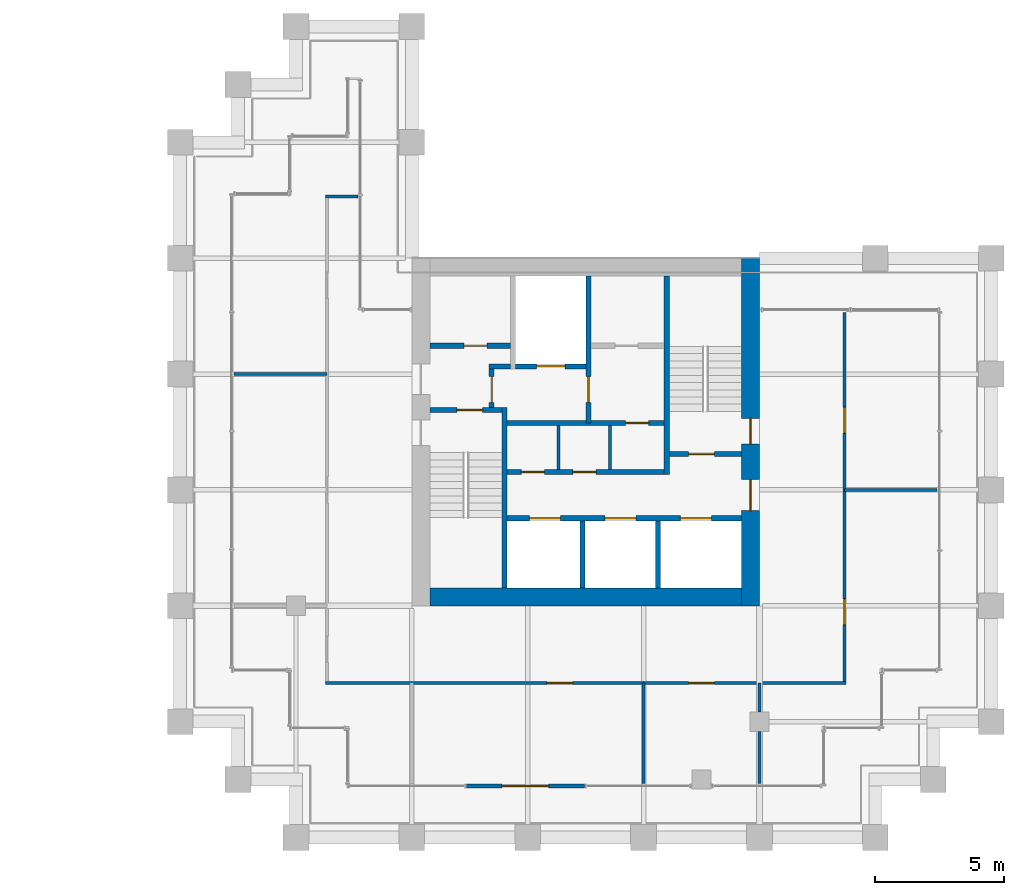
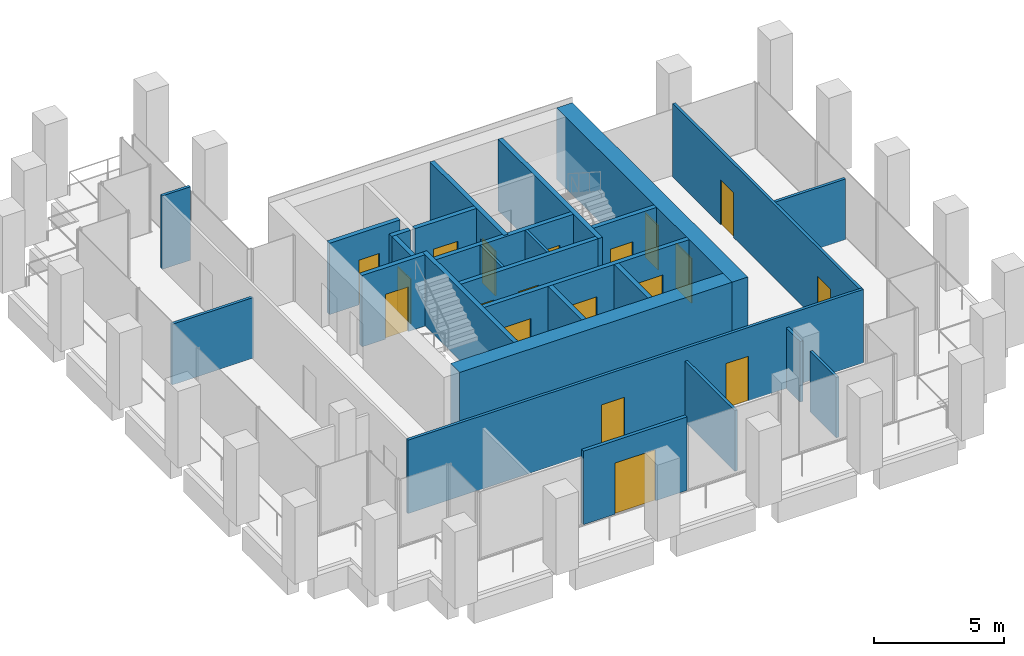
# One storey, part 43 of 46: 27 walls, 19 doors, 19 openings.
"""IFC4 building model written with IfcOpenShell, lengths in metres."""

from ifc_helpers import new_model, si_unit, direction, frame, frame_2d, origin, place, context, subcontext, project, spatial, rectangle, extrude, material, layer, layer_set, type_object, element, fill, save


model = new_model("IFC4")

# Units and contexts
model_context = context("Model", 3, precision=1e-05, world=origin(), true_north=direction((0.0, 1.0)))
body_context = subcontext(model_context, "Body", "Model", "MODEL_VIEW")
ifc_project = project(units=[si_unit("LENGTHUNIT", "METRE"), si_unit("AREAUNIT", "SQUARE_METRE"), si_unit("VOLUMEUNIT", "CUBIC_METRE"), si_unit("PLANEANGLEUNIT", "RADIAN"), si_unit("MASSUNIT", "GRAM", prefix="KILO")], contexts=[model_context])

# Site, building, storey
site_placement = place(None, origin())
site = spatial("IfcSite", under=ifc_project, at=site_placement, CompositionType="ELEMENT")
building_placement = place(site_placement, origin())
building = spatial("IfcBuilding", under=site, at=building_placement, Name="Altepetl Exchange Towers", CompositionType="ELEMENT")
storey_placement = place(building_placement, frame((0.0, 0.0, 124.39990234375)))
storey = spatial("IfcBuildingStorey", under=building, at=storey_placement, Name="L30", CompositionType="ELEMENT", Elevation=124.39990234375)

# Wall, openings, doors
ifc_material_1 = material(Name="Concrete C70/85", Category="concrete")
ifc_layer_1 = layer(ifc_material_1, 0.699951171875)
ifc_layer_set_1 = layer_set([ifc_layer_1], Name="Concrete C70/85")
wall_type_1 = type_object("IfcWallType", Name="Core wall 700 reinforced concrete", PredefinedType="SHEAR", material=ifc_layer_set_1)
wall_1_placement = place(storey_placement, frame((116.64990234375, 36.0, 0.0), z_axis=(0.0, 0.0, 1.0), x_axis=(0.0, 1.0, 0.0)))
wall_1 = element("IfcWall", 1, at=wall_1_placement, inside=storey, type_object=wall_type_1, Name="wall:B:L30:K-coreE", PredefinedType="SHEAR", context=body_context, shape_type="SweptSolid", body=[
    extrude(rectangle(XDim=13.5, YDim=0.699951171875, at=frame_2d((6.75, 0.0))), origin(), (0.0, 0.0, 1.0), 3.35009765625),
])
opening_1_placement = place(wall_1_placement, frame((3.699951171875, 0.0, 0.0)))
opening_1 = element("IfcOpeningElement", 2, at=opening_1_placement, cuts=wall_1, Name="Opening L30.B61", PredefinedType="OPENING", context=body_context, shape_type="SweptSolid", body=[
    extrude(rectangle(XDim=1.199951171875, YDim=2.10009765625, at=frame_2d((0.60009765625, 1.050048828125))), frame((0.0, 0.35986328125, 0.0), z_axis=(0.0, -1.0, 0.0), x_axis=(1.0, 0.0, 0.0)), (0.0, 0.0, 1.0), 0.719970703125),
])
opening_2_placement = place(wall_1_placement, frame((6.27490234375, 0.0, 0.0)))
opening_2 = element("IfcOpeningElement", 3, at=opening_2_placement, cuts=wall_1, Name="Opening L30.B65", PredefinedType="OPENING", context=body_context, shape_type="SweptSolid", body=[
    extrude(rectangle(XDim=1.0, YDim=2.10009765625, at=frame_2d((0.5, 1.050048828125))), frame((0.0, 0.35986328125, 0.0), z_axis=(0.0, -1.0, 0.0), x_axis=(1.0, 0.0, 0.0)), (0.0, 0.0, 1.0), 0.719970703125),
])
ifc_material_2 = material(Name="Steel and timber fire door", Category="steel")
door_type_1 = type_object("IfcDoorType", Name="Fire door 1000 x 2100 stair and lobby", OperationType="SINGLE_SWING_LEFT", PredefinedType="DOOR", material=ifc_material_2)
door_1_placement = place(opening_2_placement, origin())
door_1 = element("IfcDoor", 4, at=door_1_placement, inside=storey, type_object=door_type_1, Name="door:B:L30:K-dS2x", OperationType="SINGLE_SWING_LEFT", OverallHeight=2.10009765625, OverallWidth=1.0, PredefinedType="DOOR", context=body_context, shape_type="SweptSolid", body=[
    extrude(rectangle(XDim=1.0, YDim=2.10009765625, at=frame_2d((0.5, 1.050048828125))), frame((0.0, 0.02490234375, 0.0), z_axis=(0.0, -1.0, 0.0), x_axis=(1.0, 0.0, 0.0)), (0.0, 0.0, 1.0), 0.050048828125),
])
fill(opening_2, door_1)
door_type_2 = type_object("IfcDoorType", Name="Fire door 1200 x 2100 lobby entry", OperationType="SINGLE_SWING_LEFT", PredefinedType="DOOR", material=ifc_material_2)
door_2_placement = place(opening_1_placement, origin())
door_2 = element("IfcDoor", 5, at=door_2_placement, inside=storey, type_object=door_type_2, Name="door:B:L30:K-dLSE", OperationType="SINGLE_SWING_RIGHT", OverallHeight=2.10009765625, OverallWidth=1.199951171875, PredefinedType="DOOR", context=body_context, shape_type="SweptSolid", body=[
    extrude(rectangle(XDim=1.199951171875, YDim=2.10009765625, at=frame_2d((0.60009765625, 1.050048828125))), frame((0.0, 0.02490234375, 0.0), z_axis=(0.0, -1.0, 0.0), x_axis=(1.0, 0.0, 0.0)), (0.0, 0.0, 1.0), 0.050048828125),
])
fill(opening_1, door_2)

# Wall
wall_2_placement = place(storey_placement, frame((104.199951171875, 36.35009765625, 0.0)))
element("IfcWall", 6, at=wall_2_placement, inside=storey, type_object=wall_type_1, Name="wall:B:L30:K-coreS", PredefinedType="SHEAR", context=body_context, shape_type="SweptSolid", body=[
    extrude(rectangle(XDim=12.10009765625, YDim=0.699951171875, at=frame_2d((6.050048828125, 0.0))), origin(), (0.0, 0.0, 1.0), 3.35009765625),
])

# Wall, opening, door
ifc_material_3 = material(Name="Aluminium composite cladding", Category="aluminium")
ifc_layer_2 = layer(ifc_material_3, 0.14990234375)
ifc_layer_set_2 = layer_set([ifc_layer_2], Name="Aluminium composite cladding")
wall_type_2 = type_object("IfcWallType", Name="Infill wall 150 aluminium panel", PredefinedType="SOLIDWALL", material=ifc_layer_set_2)
wall_3_placement = place(storey_placement, frame((105.606201171875, 29.0, 0.0)))
wall_3 = element("IfcWall", 7, at=wall_3_placement, inside=storey, type_object=wall_type_2, Name="Loggia door bay wall", PredefinedType="SOLIDWALL", context=body_context, shape_type="SweptSolid", body=[
    extrude(rectangle(XDim=4.606201171875, YDim=0.14990234375, at=frame_2d((2.30322265625, 0.0))), origin(), (0.0, 0.0, 1.0), 3.4501953125),
])
opening_3_placement = place(wall_3_placement, frame((1.403076171875, 0.0, 0.0)))
opening_3 = element("IfcOpeningElement", 8, at=opening_3_placement, cuts=wall_3, Name="Opening L30.B90", PredefinedType="OPENING", context=body_context, shape_type="SweptSolid", body=[
    extrude(rectangle(XDim=1.800048828125, YDim=2.39990234375, at=frame_2d((0.89990234375, 1.199951171875))), frame((0.0, 0.0849609375, 0.0), z_axis=(0.0, -1.0, 0.0), x_axis=(1.0, 0.0, 0.0)), (0.0, 0.0, 1.0), 0.169921875),
])
ifc_material_4 = material(Name="Aluminium 6063-T6 and glass", Category="aluminium")
door_type_3 = type_object("IfcDoorType", Name="Glazed door pair 1800x2400", OperationType="DOUBLE_DOOR_DOUBLE_SWING", PredefinedType="NOTDEFINED", material=ifc_material_4)
door_3_placement = place(opening_3_placement, frame((1.800048828125, 0.0, 0.0), x_axis=(-1.0, 0.0, 0.0)))
door_3 = element("IfcDoor", 9, at=door_3_placement, inside=storey, type_object=door_type_3, Name="Loggia door", OperationType="DOUBLE_DOOR_DOUBLE_SWING", OverallHeight=2.39990234375, OverallWidth=1.800048828125, PredefinedType="NOTDEFINED", context=body_context, shape_type="SweptSolid", body=[
    extrude(rectangle(XDim=1.800048828125, YDim=2.39990234375, at=frame_2d((0.89990234375, 1.199951171875))), frame((0.0, 0.02490234375, 0.0), z_axis=(0.0, -1.0, 0.0), x_axis=(1.0, 0.0, 0.0)), (0.0, 0.0, 1.0), 0.050048828125),
])
fill(opening_3, door_3)

# Wall
ifc_material_5 = material(Name="Concrete blockwork", Category="masonry")
ifc_layer_3 = layer(ifc_material_5, 0.199951171875)
ifc_layer_set_3 = layer_set([ifc_layer_3], Name="Concrete blockwork")
wall_type_3 = type_object("IfcWallType", Name="Lobby wall 200 blockwork", PredefinedType="PARTITIONING", material=ifc_layer_set_3)
wall_4_placement = place(storey_placement, frame((106.5, 45.300048828125, 0.0)))
element("IfcWall", 10, at=wall_4_placement, inside=storey, type_object=wall_type_3, Name="wall:B:L30:K-ffNw", PredefinedType="PARTITIONING", context=body_context, shape_type="SweptSolid", body=[
    extrude(rectangle(XDim=0.833251953125, YDim=0.199951171875, at=frame_2d((0.41650390625, 0.0))), origin(), (0.0, 0.0, 1.0), 3.35009765625),
])

# Wall, opening, door
wall_5_placement = place(storey_placement, frame((106.60009765625, 43.699951171875, 0.0), z_axis=(0.0, 0.0, 1.0), x_axis=(0.0, 1.0, 0.0)))
wall_5 = element("IfcWall", 11, at=wall_5_placement, inside=storey, type_object=wall_type_3, Name="wall:B:L30:K-ffW", PredefinedType="PARTITIONING", context=body_context, shape_type="SweptSolid", body=[
    extrude(rectangle(XDim=1.5, YDim=0.199951171875, at=frame_2d((0.75, 0.0))), origin(), (0.0, 0.0, 1.0), 3.35009765625),
])
opening_4_placement = place(wall_5_placement, frame((0.199951171875, 0.0, 0.0)))
opening_4 = element("IfcOpeningElement", 12, at=opening_4_placement, cuts=wall_5, Name="Opening L30.B67", PredefinedType="OPENING", context=body_context, shape_type="SweptSolid", body=[
    extrude(rectangle(XDim=1.0, YDim=2.10009765625, at=frame_2d((0.5, 1.050048828125))), frame((0.0, 0.10986328125, 0.0), z_axis=(0.0, -1.0, 0.0), x_axis=(1.0, 0.0, 0.0)), (0.0, 0.0, 1.0), 0.219970703125),
])
door_4_placement = place(opening_4_placement, frame((1.0, 0.0, 0.0), x_axis=(-1.0, 0.0, 0.0)))
door_4 = element("IfcDoor", 13, at=door_4_placement, inside=storey, type_object=door_type_1, Name="door:B:L30:K-dffW", OperationType="SINGLE_SWING_LEFT", OverallHeight=2.10009765625, OverallWidth=1.0, PredefinedType="DOOR", context=body_context, shape_type="SweptSolid", body=[
    extrude(rectangle(XDim=1.0, YDim=2.10009765625, at=frame_2d((0.5, 1.050048828125))), frame((0.0, 0.02490234375, 0.0), z_axis=(0.0, -1.0, 0.0), x_axis=(1.0, 0.0, 0.0)), (0.0, 0.0, 1.0), 0.050048828125),
])
fill(opening_4, door_4)

wall_6_placement = place(storey_placement, frame((107.199951171875, 43.10009765625, 0.0)))
wall_6 = element("IfcWall", 14, at=wall_6_placement, inside=storey, type_object=wall_type_3, Name="wall:B:L30:K-zoneN", PredefinedType="PARTITIONING", context=body_context, shape_type="SweptSolid", body=[
    extrude(rectangle(XDim=6.10009765625, YDim=0.199951171875, at=frame_2d((3.050048828125, 0.0))), origin(), (0.0, 0.0, 1.0), 3.35009765625),
])
opening_5_placement = place(wall_6_placement, frame((4.60009765625, 0.0, 0.0)))
opening_5 = element("IfcOpeningElement", 15, at=opening_5_placement, cuts=wall_6, Name="Opening L30.B72", PredefinedType="OPENING", context=body_context, shape_type="SweptSolid", body=[
    extrude(rectangle(XDim=0.89990234375, YDim=2.10009765625, at=frame_2d((0.449951171875, 1.050048828125))), frame((0.0, 0.10986328125, 0.0), z_axis=(0.0, -1.0, 0.0), x_axis=(1.0, 0.0, 0.0)), (0.0, 0.0, 1.0), 0.219970703125),
])
door_type_4 = type_object("IfcDoorType", Name="Fire door 900 x 2100 service room", OperationType="SINGLE_SWING_LEFT", PredefinedType="DOOR", material=ifc_material_2)
door_5_placement = place(opening_5_placement, frame((0.89990234375, 0.0, 0.0), x_axis=(-1.0, 0.0, 0.0)))
door_5 = element("IfcDoor", 16, at=door_5_placement, inside=storey, type_object=door_type_4, Name="door:B:L30:K-dz3", OperationType="SINGLE_SWING_LEFT", OverallHeight=2.10009765625, OverallWidth=0.89990234375, PredefinedType="DOOR", context=body_context, shape_type="SweptSolid", body=[
    extrude(rectangle(XDim=0.89990234375, YDim=2.10009765625, at=frame_2d((0.449951171875, 1.050048828125))), frame((0.0, 0.02490234375, 0.0), z_axis=(0.0, -1.0, 0.0), x_axis=(1.0, 0.0, 0.0)), (0.0, 0.0, 1.0), 0.050048828125),
])
fill(opening_5, door_5)

# Wall, openings, doors
wall_7_placement = place(storey_placement, frame((107.199951171875, 41.199951171875, 0.0)))
wall_7 = element("IfcWall", 17, at=wall_7_placement, inside=storey, type_object=wall_type_3, Name="wall:B:L30:K-zoneS", PredefinedType="PARTITIONING", context=body_context, shape_type="SweptSolid", body=[
    extrude(rectangle(XDim=6.10009765625, YDim=0.199951171875, at=frame_2d((3.050048828125, 0.0))), origin(), (0.0, 0.0, 1.0), 3.35009765625),
])
opening_6_placement = place(wall_7_placement, frame((0.550048828125, 0.0, 0.0)))
opening_6 = element("IfcOpeningElement", 18, at=opening_6_placement, cuts=wall_7, Name="Opening L30.B70", PredefinedType="OPENING", context=body_context, shape_type="SweptSolid", body=[
    extrude(rectangle(XDim=0.89990234375, YDim=2.10009765625, at=frame_2d((0.449951171875, 1.050048828125))), frame((0.0, 0.10986328125, 0.0), z_axis=(0.0, -1.0, 0.0), x_axis=(1.0, 0.0, 0.0)), (0.0, 0.0, 1.0), 0.219970703125),
])
opening_7_placement = place(wall_7_placement, frame((2.550048828125, 0.0, 0.0)))
opening_7 = element("IfcOpeningElement", 19, at=opening_7_placement, cuts=wall_7, Name="Opening L30.B71", PredefinedType="OPENING", context=body_context, shape_type="SweptSolid", body=[
    extrude(rectangle(XDim=0.89990234375, YDim=2.10009765625, at=frame_2d((0.449951171875, 1.050048828125))), frame((0.0, 0.10986328125, 0.0), z_axis=(0.0, -1.0, 0.0), x_axis=(1.0, 0.0, 0.0)), (0.0, 0.0, 1.0), 0.219970703125),
])
door_6_placement = place(opening_6_placement, origin())
door_6 = element("IfcDoor", 20, at=door_6_placement, inside=storey, type_object=door_type_4, Name="door:B:L30:K-dz1", OperationType="SINGLE_SWING_RIGHT", OverallHeight=2.10009765625, OverallWidth=0.89990234375, PredefinedType="DOOR", context=body_context, shape_type="SweptSolid", body=[
    extrude(rectangle(XDim=0.89990234375, YDim=2.10009765625, at=frame_2d((0.449951171875, 1.050048828125))), frame((0.0, 0.02490234375, 0.0), z_axis=(0.0, -1.0, 0.0), x_axis=(1.0, 0.0, 0.0)), (0.0, 0.0, 1.0), 0.050048828125),
])
fill(opening_6, door_6)
door_7_placement = place(opening_7_placement, origin())
door_7 = element("IfcDoor", 21, at=door_7_placement, inside=storey, type_object=door_type_4, Name="door:B:L30:K-dz2", OperationType="SINGLE_SWING_LEFT", OverallHeight=2.10009765625, OverallWidth=0.89990234375, PredefinedType="DOOR", context=body_context, shape_type="SweptSolid", body=[
    extrude(rectangle(XDim=0.89990234375, YDim=2.10009765625, at=frame_2d((0.449951171875, 1.050048828125))), frame((0.0, 0.02490234375, 0.0), z_axis=(0.0, -1.0, 0.0), x_axis=(1.0, 0.0, 0.0)), (0.0, 0.0, 1.0), 0.050048828125),
])
fill(opening_7, door_7)

# Walls
ifc_material_6 = material(Name="Gypsum board on steel studs", Category="steel")
ifc_layer_4 = layer(ifc_material_6, 0.125)
ifc_layer_set_4 = layer_set([ifc_layer_4], Name="Gypsum board on steel studs")
wall_type_4 = type_object("IfcWallType", Name="Partition 125 gypsum board on steel studs", PredefinedType="PARTITIONING", material=ifc_layer_set_4)
for number, where, z_axis, x_axis, name in (
    (22, (109.199951171875, 41.300048828125, 0.0), (0.0, 0.0, 1.0), (0.0, 1.0, 0.0), "wall:B:L30:K-zp1"),
    (23, (111.199951171875, 41.300048828125, 0.0), (0.0, 0.0, 1.0), (0.0, 1.0, 0.0), "wall:B:L30:K-zp2"),
):
    element("IfcWall", number, at=place(storey_placement, frame(where, z_axis=z_axis, x_axis=x_axis)), inside=storey, type_object=wall_type_4, Name=name, PredefinedType="PARTITIONING", context=body_context, shape_type="SweptSolid", body=[
        extrude(rectangle(XDim=1.699951171875, YDim=0.125, at=frame_2d((0.85009765625, 0.0))), origin(), (0.0, 0.0, 1.0), 3.35009765625),
    ])

# Wall, openings, doors
wall_8_placement = place(storey_placement, frame((100.137451171875, 33.0, 0.0)))
wall_8 = element("IfcWall", 24, at=wall_8_placement, inside=storey, type_object=wall_type_4, Name="wall:B:L30:P01", PredefinedType="PARTITIONING", context=body_context, shape_type="SweptSolid", body=[
    extrude(rectangle(XDim=20.22509765625, YDim=0.125, at=frame_2d((10.112548828125, 0.0))), origin(), (0.0, 0.0, 1.0), 3.4501953125),
])
opening_8_placement = place(wall_8_placement, frame((8.60546875, 0.0, 0.0)))
opening_8 = element("IfcOpeningElement", 25, at=opening_8_placement, cuts=wall_8, Name="Opening L30.B03", PredefinedType="OPENING", context=body_context, shape_type="SweptSolid", body=[
    extrude(rectangle(XDim=1.0, YDim=2.10009765625, at=frame_2d((0.5, 1.050048828125))), frame((0.0, 0.072509765625, 0.0), z_axis=(0.0, -1.0, 0.0), x_axis=(1.0, 0.0, 0.0)), (0.0, 0.0, 1.0), 0.14501953125),
])
opening_9_placement = place(wall_8_placement, frame((14.112548828125, 0.0, 0.0)))
opening_9 = element("IfcOpeningElement", 26, at=opening_9_placement, cuts=wall_8, Name="Opening L30.B04", PredefinedType="OPENING", context=body_context, shape_type="SweptSolid", body=[
    extrude(rectangle(XDim=1.0, YDim=2.10009765625, at=frame_2d((0.5, 1.050048828125))), frame((0.0, 0.072509765625, 0.0), z_axis=(0.0, -1.0, 0.0), x_axis=(1.0, 0.0, 0.0)), (0.0, 0.0, 1.0), 0.14501953125),
])
door_type_5 = type_object("IfcDoorType", Name="Fire door 1000 x 2100 single leaf", OperationType="SINGLE_SWING_LEFT", PredefinedType="DOOR", material=ifc_material_2)
door_8_placement = place(opening_8_placement, frame((1.0, 0.0, 0.0), x_axis=(-1.0, 0.0, 0.0)))
door_8 = element("IfcDoor", 27, at=door_8_placement, inside=storey, type_object=door_type_5, Name="door:B:L30:03", OperationType="SINGLE_SWING_LEFT", OverallHeight=2.10009765625, OverallWidth=1.0, PredefinedType="DOOR", context=body_context, shape_type="SweptSolid", body=[
    extrude(rectangle(XDim=1.0, YDim=2.10009765625, at=frame_2d((0.5, 1.050048828125))), frame((0.0, 0.02490234375, 0.0), z_axis=(0.0, -1.0, 0.0), x_axis=(1.0, 0.0, 0.0)), (0.0, 0.0, 1.0), 0.050048828125),
])
fill(opening_8, door_8)
door_9_placement = place(opening_9_placement, frame((1.0, 0.0, 0.0), x_axis=(-1.0, 0.0, 0.0)))
door_9 = element("IfcDoor", 28, at=door_9_placement, inside=storey, type_object=door_type_5, Name="door:B:L30:04", OperationType="SINGLE_SWING_LEFT", OverallHeight=2.10009765625, OverallWidth=1.0, PredefinedType="DOOR", context=body_context, shape_type="SweptSolid", body=[
    extrude(rectangle(XDim=1.0, YDim=2.10009765625, at=frame_2d((0.5, 1.050048828125))), frame((0.0, 0.02490234375, 0.0), z_axis=(0.0, -1.0, 0.0), x_axis=(1.0, 0.0, 0.0)), (0.0, 0.0, 1.0), 0.050048828125),
])
fill(opening_9, door_9)

# Walls
for number, where, name in (
    (29, (120.300048828125, 40.5, 0.0), "wall:B:L30:P04"),
    (30, (96.60009765625, 45.0, 0.0), "wall:B:L30:P05"),
):
    element("IfcWall", number, at=place(storey_placement, frame(where)), inside=storey, type_object=wall_type_4, Name=name, PredefinedType="PARTITIONING", context=body_context, shape_type="SweptSolid", body=[
        extrude(rectangle(XDim=3.599853515625, YDim=0.125, at=frame_2d((1.7998046875, 0.0))), origin(), (0.0, 0.0, 1.0), 2.85107421875),
    ])
wall_9_placement = place(storey_placement, frame((100.137451171875, 51.89990234375, 0.0)))
element("IfcWall", 31, at=wall_9_placement, inside=storey, type_object=wall_type_4, Name="wall:B:L30:P06", PredefinedType="PARTITIONING", context=body_context, shape_type="SweptSolid", body=[
    extrude(rectangle(XDim=1.262451171875, YDim=0.125, at=frame_2d((0.63134765625, 0.0))), origin(), (0.0, 0.0, 1.0), 3.4501953125),
])
wall_10_placement = place(storey_placement, frame((112.5, 29.10009765625, 0.0), z_axis=(0.0, 0.0, 1.0), x_axis=(0.0, 1.0, 0.0)))
element("IfcWall", 32, at=wall_10_placement, inside=storey, type_object=wall_type_4, Name="wall:B:L30:P09", PredefinedType="PARTITIONING", context=body_context, shape_type="SweptSolid", body=[
    extrude(rectangle(XDim=3.89990234375, YDim=0.125, at=frame_2d((1.949951171875, 0.0))), origin(), (0.0, 0.0, 1.0), 2.85107421875),
])
wall_11_placement = place(storey_placement, frame((117.0, 29.10009765625, 0.0), z_axis=(0.0, 0.0, 1.0), x_axis=(0.0, 1.0, 0.0)))
element("IfcWall", 33, at=wall_11_placement, inside=storey, type_object=wall_type_4, Name="wall:B:L30:P10", PredefinedType="PARTITIONING", context=body_context, shape_type="SweptSolid", body=[
    extrude(rectangle(XDim=2.02490234375, YDim=0.125, at=frame_2d((1.012451171875, 0.0))), origin(), (0.0, 0.0, 1.0), 2.842041015625),
])
wall_12_placement = place(storey_placement, frame((117.0, 31.875, 0.0), z_axis=(0.0, 0.0, 1.0), x_axis=(0.0, 1.0, 0.0)))
element("IfcWall", 34, at=wall_12_placement, inside=storey, type_object=wall_type_4, Name="wall:B:L30:P11", PredefinedType="PARTITIONING", context=body_context, shape_type="SweptSolid", body=[
    extrude(rectangle(XDim=1.125, YDim=0.125, at=frame_2d((0.5625, 0.0))), origin(), (0.0, 0.0, 1.0), 2.842041015625),
])

# Wall, openings, doors
wall_13_placement = place(storey_placement, frame((120.300048828125, 33.0625, 0.0), z_axis=(0.0, 0.0, 1.0), x_axis=(0.0, 1.0, 0.0)))
wall_13 = element("IfcWall", 35, at=wall_13_placement, inside=storey, type_object=wall_type_4, Name="wall:B:L30:P12", PredefinedType="PARTITIONING", context=body_context, shape_type="SweptSolid", body=[
    extrude(rectangle(XDim=14.33740234375, YDim=0.125, at=frame_2d((7.168701171875, 0.0))), origin(), (0.0, 0.0, 1.0), 3.4501953125),
])
opening_10_placement = place(wall_13_placement, frame((2.20751953125, 0.0, 0.0)))
opening_10 = element("IfcOpeningElement", 36, at=opening_10_placement, cuts=wall_13, Name="Opening L30.B05", PredefinedType="OPENING", context=body_context, shape_type="SweptSolid", body=[
    extrude(rectangle(XDim=1.0, YDim=2.10009765625, at=frame_2d((0.5, 1.050048828125))), frame((0.0, 0.072509765625, 0.0), z_axis=(0.0, -1.0, 0.0), x_axis=(1.0, 0.0, 0.0)), (0.0, 0.0, 1.0), 0.14501953125),
])
opening_11_placement = place(wall_13_placement, frame((9.642578125, 0.0, 0.0)))
opening_11 = element("IfcOpeningElement", 37, at=opening_11_placement, cuts=wall_13, Name="Opening L30.B06", PredefinedType="OPENING", context=body_context, shape_type="SweptSolid", body=[
    extrude(rectangle(XDim=1.0, YDim=2.10009765625, at=frame_2d((0.5, 1.050048828125))), frame((0.0, 0.072509765625, 0.0), z_axis=(0.0, -1.0, 0.0), x_axis=(1.0, 0.0, 0.0)), (0.0, 0.0, 1.0), 0.14501953125),
])
door_10_placement = place(opening_10_placement, frame((1.0, 0.0, 0.0), x_axis=(-1.0, 0.0, 0.0)))
door_10 = element("IfcDoor", 38, at=door_10_placement, inside=storey, type_object=door_type_5, Name="door:B:L30:05", OperationType="SINGLE_SWING_RIGHT", OverallHeight=2.10009765625, OverallWidth=1.0, PredefinedType="DOOR", context=body_context, shape_type="SweptSolid", body=[
    extrude(rectangle(XDim=1.0, YDim=2.10009765625, at=frame_2d((0.5, 1.050048828125))), frame((0.0, 0.02490234375, 0.0), z_axis=(0.0, -1.0, 0.0), x_axis=(1.0, 0.0, 0.0)), (0.0, 0.0, 1.0), 0.050048828125),
])
fill(opening_10, door_10)
door_11_placement = place(opening_11_placement, frame((1.0, 0.0, 0.0), x_axis=(-1.0, 0.0, 0.0)))
door_11 = element("IfcDoor", 39, at=door_11_placement, inside=storey, type_object=door_type_5, Name="door:B:L30:06", OperationType="SINGLE_SWING_RIGHT", OverallHeight=2.10009765625, OverallWidth=1.0, PredefinedType="DOOR", context=body_context, shape_type="SweptSolid", body=[
    extrude(rectangle(XDim=1.0, YDim=2.10009765625, at=frame_2d((0.5, 1.050048828125))), frame((0.0, 0.02490234375, 0.0), z_axis=(0.0, -1.0, 0.0), x_axis=(1.0, 0.0, 0.0)), (0.0, 0.0, 1.0), 0.050048828125),
])
fill(opening_11, door_11)

# Wall, opening, door
ifc_material_7 = material(Name="Concrete C40/50", Category="concrete")
ifc_layer_5 = layer(ifc_material_7, 0.199951171875)
ifc_layer_set_5 = layer_set([ifc_layer_5], Name="Concrete C40/50")
wall_type_5 = type_object("IfcWallType", Name="Shaft wall 200 reinforced concrete", PredefinedType="SHEAR", material=ifc_layer_set_5)
wall_14_placement = place(storey_placement, frame((110.36669921875, 48.800048828125, 0.0), z_axis=(0.0, 0.0, 1.0), x_axis=(0.0, -1.0, 0.0)))
wall_14 = element("IfcWall", 40, at=wall_14_placement, inside=storey, type_object=wall_type_5, Name="wall:B:L30:K-divN2", PredefinedType="SHEAR", context=body_context, shape_type="SweptSolid", body=[
    extrude(rectangle(XDim=5.699951171875, YDim=0.199951171875, at=frame_2d((2.85009765625, 0.0))), origin(), (0.0, 0.0, 1.0), 3.35009765625),
])
opening_12_placement = place(wall_14_placement, frame((3.89990234375, 0.0, 0.0)))
opening_12 = element("IfcOpeningElement", 41, at=opening_12_placement, cuts=wall_14, Name="Opening L30.B66", PredefinedType="OPENING", context=body_context, shape_type="SweptSolid", body=[
    extrude(rectangle(XDim=1.0, YDim=2.10009765625, at=frame_2d((0.5, 1.050048828125))), frame((0.0, 0.10986328125, 0.0), z_axis=(0.0, -1.0, 0.0), x_axis=(1.0, 0.0, 0.0)), (0.0, 0.0, 1.0), 0.219970703125),
])
door_12_placement = place(opening_12_placement, frame((1.0, 0.0, 0.0), x_axis=(-1.0, 0.0, 0.0)))
door_12 = element("IfcDoor", 42, at=door_12_placement, inside=storey, type_object=door_type_1, Name="door:B:L30:K-dffE", OperationType="SINGLE_SWING_RIGHT", OverallHeight=2.10009765625, OverallWidth=1.0, PredefinedType="DOOR", context=body_context, shape_type="SweptSolid", body=[
    extrude(rectangle(XDim=1.0, YDim=2.10009765625, at=frame_2d((0.5, 1.050048828125))), frame((0.0, 0.02490234375, 0.0), z_axis=(0.0, -1.0, 0.0), x_axis=(1.0, 0.0, 0.0)), (0.0, 0.0, 1.0), 0.050048828125),
])
fill(opening_12, door_12)

# Walls
for number, where, z_axis, x_axis, name in (
    (43, (110.13330078125, 36.699951171875, 0.0), (0.0, 0.0, 1.0), (0.0, 1.0, 0.0), "wall:B:L30:K-divS1"),
    (44, (113.066650390625, 36.699951171875, 0.0), (0.0, 0.0, 1.0), (0.0, 1.0, 0.0), "wall:B:L30:K-divS2"),
):
    element("IfcWall", number, at=place(storey_placement, frame(where, z_axis=z_axis, x_axis=x_axis)), inside=storey, type_object=wall_type_5, Name=name, PredefinedType="SHEAR", context=body_context, shape_type="SweptSolid", body=[
        extrude(rectangle(XDim=2.60009765625, YDim=0.199951171875, at=frame_2d((1.300048828125, 0.0))), origin(), (0.0, 0.0, 1.0), 3.35009765625),
    ])

# Wall, opening, door
wall_15_placement = place(storey_placement, frame((104.199951171875, 46.10009765625, 0.0)))
wall_15 = element("IfcWall", 45, at=wall_15_placement, inside=storey, type_object=wall_type_5, Name="wall:B:L30:K-frontNa", PredefinedType="SHEAR", context=body_context, shape_type="SweptSolid", body=[
    extrude(rectangle(XDim=3.13330078125, YDim=0.199951171875, at=frame_2d((1.566650390625, 0.0))), origin(), (0.0, 0.0, 1.0), 3.35009765625),
])
opening_13_placement = place(wall_15_placement, frame((1.316650390625, 0.0, 0.0)))
opening_13 = element("IfcOpeningElement", 46, at=opening_13_placement, cuts=wall_15, Name="Opening L30.B68", PredefinedType="OPENING", context=body_context, shape_type="SweptSolid", body=[
    extrude(rectangle(XDim=0.89990234375, YDim=2.10009765625, at=frame_2d((0.449951171875, 1.050048828125))), frame((0.0, 0.10986328125, 0.0), z_axis=(0.0, -1.0, 0.0), x_axis=(1.0, 0.0, 0.0)), (0.0, 0.0, 1.0), 0.219970703125),
])
door_13_placement = place(opening_13_placement, origin())
door_13 = element("IfcDoor", 47, at=door_13_placement, inside=storey, type_object=door_type_4, Name="door:B:L30:K-dslotN0", OperationType="SINGLE_SWING_RIGHT", OverallHeight=2.10009765625, OverallWidth=0.89990234375, PredefinedType="DOOR", context=body_context, shape_type="SweptSolid", body=[
    extrude(rectangle(XDim=0.89990234375, YDim=2.10009765625, at=frame_2d((0.449951171875, 1.050048828125))), frame((0.0, 0.02490234375, 0.0), z_axis=(0.0, -1.0, 0.0), x_axis=(1.0, 0.0, 0.0)), (0.0, 0.0, 1.0), 0.050048828125),
])
fill(opening_13, door_13)

wall_16_placement = place(storey_placement, frame((107.533203125, 45.300048828125, 0.0)))
wall_16 = element("IfcWall", 48, at=wall_16_placement, inside=storey, type_object=wall_type_5, Name="wall:B:L30:K-frontNd", PredefinedType="SHEAR", context=body_context, shape_type="SweptSolid", body=[
    extrude(rectangle(XDim=2.7333984375, YDim=0.199951171875, at=frame_2d((1.36669921875, 0.0))), origin(), (0.0, 0.0, 1.0), 3.35009765625),
])
opening_14_placement = place(wall_16_placement, frame((0.816650390625, 0.0, 0.0)))
opening_14 = element("IfcOpeningElement", 49, at=opening_14_placement, cuts=wall_16, Name="Opening L30.B73", PredefinedType="OPENING", context=body_context, shape_type="SweptSolid", body=[
    extrude(rectangle(XDim=1.10009765625, YDim=2.10009765625, at=frame_2d((0.550048828125, 1.050048828125))), frame((0.0, 0.10986328125, 0.0), z_axis=(0.0, -1.0, 0.0), x_axis=(1.0, 0.0, 0.0)), (0.0, 0.0, 1.0), 0.219970703125),
])
ifc_material_8 = material(Name="Stainless steel", Category="steel")
door_type_6 = type_object("IfcDoorType", Name="Lift landing door 1100 x 2100", OperationType="SLIDING_TO_LEFT", PredefinedType="DOOR", material=ifc_material_8)
door_14_placement = place(opening_14_placement, origin())
door_14 = element("IfcDoor", 50, at=door_14_placement, inside=storey, type_object=door_type_6, Name="Landing door FFL1", OperationType="SLIDING_TO_LEFT", OverallHeight=2.10009765625, OverallWidth=1.10009765625, PredefinedType="DOOR", context=body_context, shape_type="SweptSolid", body=[
    extrude(rectangle(XDim=1.10009765625, YDim=2.10009765625, at=frame_2d((0.550048828125, 1.050048828125))), frame((0.0, 0.02490234375, 0.0), z_axis=(0.0, -1.0, 0.0), x_axis=(1.0, 0.0, 0.0)), (0.0, 0.0, 1.0), 0.050048828125),
])
fill(opening_14, door_14)

# Wall, openings, doors
wall_17_placement = place(storey_placement, frame((107.199951171875, 39.39990234375, 0.0)))
wall_17 = element("IfcWall", 51, at=wall_17_placement, inside=storey, type_object=wall_type_5, Name="wall:B:L30:K-frontS", PredefinedType="SHEAR", context=body_context, shape_type="SweptSolid", body=[
    extrude(rectangle(XDim=9.10009765625, YDim=0.199951171875, at=frame_2d((4.550048828125, 0.0))), origin(), (0.0, 0.0, 1.0), 3.35009765625),
])
opening_15_placement = place(wall_17_placement, frame((0.86669921875, 0.0, 0.0)))
opening_15 = element("IfcOpeningElement", 52, at=opening_15_placement, cuts=wall_17, Name="Opening L30.B74", PredefinedType="OPENING", context=body_context, shape_type="SweptSolid", body=[
    extrude(rectangle(XDim=1.199951171875, YDim=2.10009765625, at=frame_2d((0.60009765625, 1.050048828125))), frame((0.0, 0.10986328125, 0.0), z_axis=(0.0, -1.0, 0.0), x_axis=(1.0, 0.0, 0.0)), (0.0, 0.0, 1.0), 0.219970703125),
])
opening_16_placement = place(wall_17_placement, frame((3.800048828125, 0.0, 0.0)))
opening_16 = element("IfcOpeningElement", 53, at=opening_16_placement, cuts=wall_17, Name="Opening L30.B75", PredefinedType="OPENING", context=body_context, shape_type="SweptSolid", body=[
    extrude(rectangle(XDim=1.199951171875, YDim=2.10009765625, at=frame_2d((0.60009765625, 1.050048828125))), frame((0.0, 0.10986328125, 0.0), z_axis=(0.0, -1.0, 0.0), x_axis=(1.0, 0.0, 0.0)), (0.0, 0.0, 1.0), 0.219970703125),
])
opening_17_placement = place(wall_17_placement, frame((6.7333984375, 0.0, 0.0)))
opening_17 = element("IfcOpeningElement", 54, at=opening_17_placement, cuts=wall_17, Name="Opening L30.B76", PredefinedType="OPENING", context=body_context, shape_type="SweptSolid", body=[
    extrude(rectangle(XDim=1.199951171875, YDim=2.10009765625, at=frame_2d((0.60009765625, 1.050048828125))), frame((0.0, 0.10986328125, 0.0), z_axis=(0.0, -1.0, 0.0), x_axis=(1.0, 0.0, 0.0)), (0.0, 0.0, 1.0), 0.219970703125),
])
door_type_7 = type_object("IfcDoorType", Name="Lift landing door 1200 x 2100", OperationType="SLIDING_TO_LEFT", PredefinedType="DOOR", material=ifc_material_8)
door_15_placement = place(opening_15_placement, origin())
door_15 = element("IfcDoor", 55, at=door_15_placement, inside=storey, type_object=door_type_7, Name="Landing door P1", OperationType="SLIDING_TO_LEFT", OverallHeight=2.10009765625, OverallWidth=1.199951171875, PredefinedType="DOOR", context=body_context, shape_type="SweptSolid", body=[
    extrude(rectangle(XDim=1.199951171875, YDim=2.10009765625, at=frame_2d((0.60009765625, 1.050048828125))), frame((0.0, 0.02490234375, 0.0), z_axis=(0.0, -1.0, 0.0), x_axis=(1.0, 0.0, 0.0)), (0.0, 0.0, 1.0), 0.050048828125),
])
fill(opening_15, door_15)
door_16_placement = place(opening_16_placement, origin())
door_16 = element("IfcDoor", 56, at=door_16_placement, inside=storey, type_object=door_type_7, Name="Landing door P2", OperationType="SLIDING_TO_LEFT", OverallHeight=2.10009765625, OverallWidth=1.199951171875, PredefinedType="DOOR", context=body_context, shape_type="SweptSolid", body=[
    extrude(rectangle(XDim=1.199951171875, YDim=2.10009765625, at=frame_2d((0.60009765625, 1.050048828125))), frame((0.0, 0.02490234375, 0.0), z_axis=(0.0, -1.0, 0.0), x_axis=(1.0, 0.0, 0.0)), (0.0, 0.0, 1.0), 0.050048828125),
])
fill(opening_16, door_16)
door_17_placement = place(opening_17_placement, origin())
door_17 = element("IfcDoor", 57, at=door_17_placement, inside=storey, type_object=door_type_7, Name="Landing door P3", OperationType="SLIDING_TO_LEFT", OverallHeight=2.10009765625, OverallWidth=1.199951171875, PredefinedType="DOOR", context=body_context, shape_type="SweptSolid", body=[
    extrude(rectangle(XDim=1.199951171875, YDim=2.10009765625, at=frame_2d((0.60009765625, 1.050048828125))), frame((0.0, 0.02490234375, 0.0), z_axis=(0.0, -1.0, 0.0), x_axis=(1.0, 0.0, 0.0)), (0.0, 0.0, 1.0), 0.050048828125),
])
fill(opening_17, door_17)

# Wall
ifc_layer_6 = layer(ifc_material_7, 0.199951171875)
ifc_layer_set_6 = layer_set([ifc_layer_6], Name="Concrete C40/50")
wall_type_6 = type_object("IfcWallType", Name="Stair wall 200 reinforced concrete", PredefinedType="SHEAR", material=ifc_layer_set_6)
wall_18_placement = place(storey_placement, frame((107.10009765625, 36.699951171875, 0.0), z_axis=(0.0, 0.0, 1.0), x_axis=(0.0, 1.0, 0.0)))
element("IfcWall", 58, at=wall_18_placement, inside=storey, type_object=wall_type_6, Name="wall:B:L30:K-stS1E", PredefinedType="SHEAR", context=body_context, shape_type="SweptSolid", body=[
    extrude(rectangle(XDim=7.0, YDim=0.199951171875, at=frame_2d((3.5, 0.0))), origin(), (0.0, 0.0, 1.0), 3.35009765625),
])

# Wall, opening, door
wall_19_placement = place(storey_placement, frame((104.199951171875, 43.60009765625, 0.0)))
wall_19 = element("IfcWall", 59, at=wall_19_placement, inside=storey, type_object=wall_type_6, Name="wall:B:L30:K-stS1N", PredefinedType="SHEAR", context=body_context, shape_type="SweptSolid", body=[
    extrude(rectangle(XDim=2.800048828125, YDim=0.199951171875, at=frame_2d((1.39990234375, 0.0))), origin(), (0.0, 0.0, 1.0), 3.35009765625),
])
opening_18_placement = place(wall_19_placement, frame((1.050048828125, 0.0, 0.0)))
opening_18 = element("IfcOpeningElement", 60, at=opening_18_placement, cuts=wall_19, Name="Opening L30.B62", PredefinedType="OPENING", context=body_context, shape_type="SweptSolid", body=[
    extrude(rectangle(XDim=1.0, YDim=2.10009765625, at=frame_2d((0.5, 1.050048828125))), frame((0.0, 0.10986328125, 0.0), z_axis=(0.0, -1.0, 0.0), x_axis=(1.0, 0.0, 0.0)), (0.0, 0.0, 1.0), 0.219970703125),
])
door_18_placement = place(opening_18_placement, frame((1.0, 0.0, 0.0), x_axis=(-1.0, 0.0, 0.0)))
door_18 = element("IfcDoor", 61, at=door_18_placement, inside=storey, type_object=door_type_1, Name="door:B:L30:K-dS1in", OperationType="SINGLE_SWING_LEFT", OverallHeight=2.10009765625, OverallWidth=1.0, PredefinedType="DOOR", context=body_context, shape_type="SweptSolid", body=[
    extrude(rectangle(XDim=1.0, YDim=2.10009765625, at=frame_2d((0.5, 1.050048828125))), frame((0.0, 0.02490234375, 0.0), z_axis=(0.0, -1.0, 0.0), x_axis=(1.0, 0.0, 0.0)), (0.0, 0.0, 1.0), 0.050048828125),
])
fill(opening_18, door_18)

wall_20_placement = place(storey_placement, frame((113.5, 41.89990234375, 0.0)))
wall_20 = element("IfcWall", 62, at=wall_20_placement, inside=storey, type_object=wall_type_6, Name="wall:B:L30:K-stS2S", PredefinedType="SHEAR", context=body_context, shape_type="SweptSolid", body=[
    extrude(rectangle(XDim=2.800048828125, YDim=0.199951171875, at=frame_2d((1.39990234375, 0.0))), origin(), (0.0, 0.0, 1.0), 3.35009765625),
])
opening_19_placement = place(wall_20_placement, frame((0.75, 0.0, 0.0)))
opening_19 = element("IfcOpeningElement", 63, at=opening_19_placement, cuts=wall_20, Name="Opening L30.B64", PredefinedType="OPENING", context=body_context, shape_type="SweptSolid", body=[
    extrude(rectangle(XDim=1.0, YDim=2.10009765625, at=frame_2d((0.5, 1.050048828125))), frame((0.0, 0.10986328125, 0.0), z_axis=(0.0, -1.0, 0.0), x_axis=(1.0, 0.0, 0.0)), (0.0, 0.0, 1.0), 0.219970703125),
])
door_19_placement = place(opening_19_placement, origin())
door_19 = element("IfcDoor", 64, at=door_19_placement, inside=storey, type_object=door_type_1, Name="door:B:L30:K-dS2in", OperationType="SINGLE_SWING_RIGHT", OverallHeight=2.10009765625, OverallWidth=1.0, PredefinedType="DOOR", context=body_context, shape_type="SweptSolid", body=[
    extrude(rectangle(XDim=1.0, YDim=2.10009765625, at=frame_2d((0.5, 1.050048828125))), frame((0.0, 0.02490234375, 0.0), z_axis=(0.0, -1.0, 0.0), x_axis=(1.0, 0.0, 0.0)), (0.0, 0.0, 1.0), 0.050048828125),
])
fill(opening_19, door_19)

# Wall
wall_21_placement = place(storey_placement, frame((113.39990234375, 41.10009765625, 0.0), z_axis=(0.0, 0.0, 1.0), x_axis=(0.0, 1.0, 0.0)))
element("IfcWall", 65, at=wall_21_placement, inside=storey, type_object=wall_type_6, Name="wall:B:L30:K-stS2W", PredefinedType="SHEAR", context=body_context, shape_type="SweptSolid", body=[
    extrude(rectangle(XDim=7.699951171875, YDim=0.199951171875, at=frame_2d((3.85009765625, 0.0))), origin(), (0.0, 0.0, 1.0), 3.35009765625),
])

save(model, "model.ifc")
